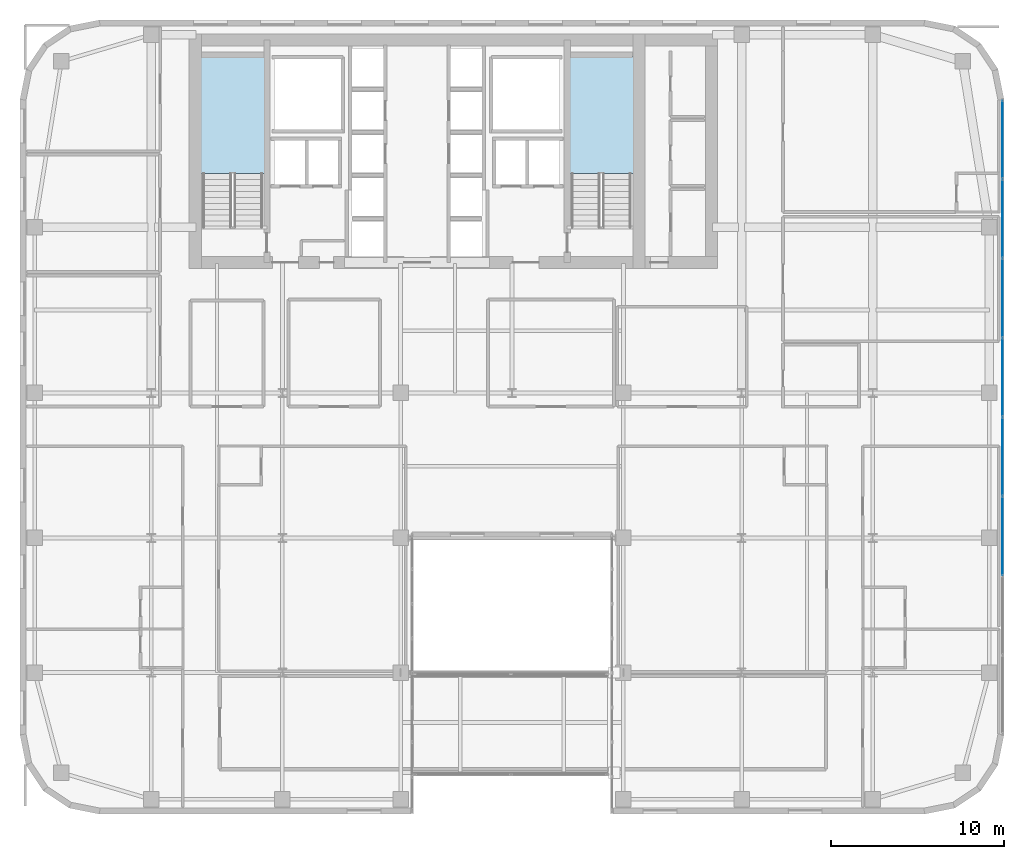
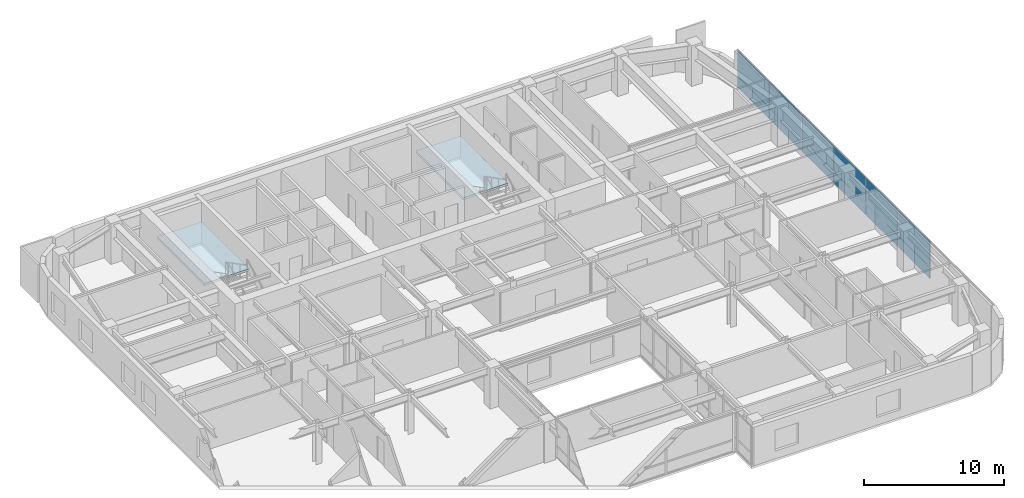
# One storey, part 16 of 25: 12 plates, 2 slabs, 3 elements without a shape of their own.
"""IFC4 building model written with IfcOpenShell, lengths in metres."""

from ifc_helpers import new_model, si_unit, direction, frame, origin, origin_2d, place, context, subcontext, project, spatial, polyline, rectangle, outline, extrude, source, transform, mapped, material, layer, layer_set, type_object, type_shapes, element, aggregate, save


model = new_model("IFC4")

# Units and contexts
model_context = context("Model", 3, precision=1e-05, world=origin(), true_north=direction((0.0, 1.0)))
body_context = subcontext(model_context, "Body", "Model", "MODEL_VIEW")
ifc_project = project(units=[si_unit("LENGTHUNIT", "METRE"), si_unit("AREAUNIT", "SQUARE_METRE"), si_unit("VOLUMEUNIT", "CUBIC_METRE"), si_unit("PLANEANGLEUNIT", "RADIAN"), si_unit("MASSUNIT", "GRAM", prefix="KILO")], contexts=[model_context])

# Site, building, storey
site_placement = place(None, origin())
site = spatial("IfcSite", under=ifc_project, at=site_placement, CompositionType="ELEMENT")
building_placement = place(site_placement, origin())
building = spatial("IfcBuilding", under=site, at=building_placement, Name="Tolvann Quenvar Hotel", CompositionType="ELEMENT")
storey_placement = place(building_placement, frame((0.0, 0.0, 122.199951171875)))
storey = spatial("IfcBuildingStorey", under=building, at=storey_placement, Name="L31", CompositionType="ELEMENT", Elevation=122.199951171875)

# Stair, slab
ifc_material_1 = material(Name="Concrete N40 (40 MPa)", Category="concrete")
stair_type = type_object("IfcStairType", Name="STAIR", PredefinedType="HALF_TURN_STAIR", material=ifc_material_1)
stair_1_placement = place(storey_placement, origin())
stair_1 = element("IfcStair", 1, at=stair_1_placement, inside=storey, type_object=stair_type, Name="L31 ST-C1", PredefinedType="HALF_TURN_STAIR")
ifc_layer_1 = layer(ifc_material_1, 0.199951171875)
ifc_layer_set_1 = layer_set([ifc_layer_1], Name="Concrete N40 (40 MPa)")
slab_type = type_object("IfcSlabType", Name="SLAB_LANDING", PredefinedType="LANDING", material=ifc_layer_set_1)
slab_1_placement = place(storey_placement, frame((0.0, 0.0, 1.574951171875)))
slab_1 = element("IfcSlab", 2, at=slab_1_placement, type_object=slab_type, Name="ST-C1 landing 1", PredefinedType="LANDING", context=body_context, shape_type="SweptSolid", body=[
    extrude(outline(polyline([(14.179931640625, 37.10498046875), (14.179931640625, 43.8798828125), (10.469970703125, 43.8798828125), (10.469970703125, 37.10498046875), (14.179931640625, 37.10498046875)])), origin(), (0.0, 0.0, 1.0), 0.2001953125),
])
aggregate(stair_1, [slab_1])

stair_2_placement = place(storey_placement, origin())
stair_2 = element("IfcStair", 3, at=stair_2_placement, inside=storey, type_object=stair_type, Name="L31 ST-C2", PredefinedType="HALF_TURN_STAIR")
slab_2_placement = place(storey_placement, frame((0.0, 0.0, 1.574951171875)))
slab_2 = element("IfcSlab", 4, at=slab_2_placement, type_object=slab_type, Name="ST-C2 landing 1", PredefinedType="LANDING", context=body_context, shape_type="SweptSolid", body=[
    extrude(outline(polyline([(35.530029296875, 37.10498046875), (35.530029296875, 43.8798828125), (31.820068359375, 43.8798828125), (31.820068359375, 37.10498046875), (35.530029296875, 37.10498046875)])), origin(), (0.0, 0.0, 1.0), 0.2001953125),
])
aggregate(stair_2, [slab_2])

# Curtain wall, plates
ifc_material_2 = material(Name="Thermally broken anodised architectural aluminium 6063-T6 and laminated low-E glass", Category="aluminium")
ifc_layer_2 = layer(ifc_material_2, 0.179931640625)
ifc_layer_set_2 = layer_set([ifc_layer_2], Name="Thermally broken anodised architectural aluminium 6063-T6 and laminated low-E glass")
curtain_wall_type = type_object("IfcCurtainWallType", Name="CW_SYS_BAND_04", PredefinedType="USERDEFINED", material=ifc_layer_set_2)
curtain_wall_placement = place(storey_placement, origin())
curtain_wall = element("IfcCurtainWall", 5, at=curtain_wall_placement, inside=storey, type_object=curtain_wall_type, Name="Curtain Wall CW-BAND-04 (CWR-L31-E13)", ObjectType="UNITISED CURTAIN WALL", PredefinedType="USERDEFINED")
ifc_material_3 = material(Name="Low-iron laminated double glazing with solar-control coating", Category="glass")
ifc_layer_3 = layer(ifc_material_3, 0.028076171875)
ifc_layer_set_3 = layer_set([ifc_layer_3], Name="Low-iron laminated double glazing with solar-control coating")
plate_type = type_object("IfcPlateType", Name="CW_PAN_VISION_28", PredefinedType="CURTAIN_PANEL", material=ifc_layer_set_3)
shared_shape_1 = source(origin(), body_context, "Body", "SweptSolid", [
    extrude(rectangle(XDim=4.49072265625, YDim=0.028076171875, at=origin_2d()), origin(), (0.0, 0.0, 1.0), 0.9599609375),
])
plate_1_placement = place(storey_placement, frame((56.909912109375, 39.0673828125, 0.06005859375), z_axis=(0.0, 0.0, 1.0), x_axis=(0.0, 1.0, 0.0)))
plate_1 = element("IfcPlate", 6, at=plate_1_placement, type_object=plate_type, Name="CW-BAND-04 panel 8.1", PredefinedType="CURTAIN_PANEL", context=body_context, shape_type="MappedRepresentation", body=[
    mapped(shared_shape_1, transform((0.0, 0.0, 0.0), x_axis=(1.0, 0.0, 0.0), y_axis=(0.0, 1.0, 0.0), z_axis=(0.0, 0.0, 1.0), scale=1.0)),
])
shared_shape_2 = source(origin(), body_context, "Body", "SweptSolid", [
    extrude(rectangle(XDim=4.49072265625, YDim=0.028076171875, at=origin_2d()), origin(), (0.0, 0.0, 1.0), 2.22998046875),
])
plate_2_placement = place(storey_placement, frame((56.909912109375, 39.0673828125, 1.080078125), z_axis=(0.0, 0.0, 1.0), x_axis=(0.0, 1.0, 0.0)))
plate_2 = element("IfcPlate", 7, at=plate_2_placement, type_object=plate_type, Name="CW-BAND-04 panel 8.2", PredefinedType="CURTAIN_PANEL", context=body_context, shape_type="MappedRepresentation", body=[
    mapped(shared_shape_2, transform((0.0, 0.0, 0.0), x_axis=(1.0, 0.0, 0.0), y_axis=(0.0, 1.0, 0.0), z_axis=(0.0, 0.0, 1.0), scale=1.0)),
])
shared_shape_3 = source(origin(), body_context, "Body", "SweptSolid", [
    extrude(rectangle(XDim=4.525634765625, YDim=0.028076171875, at=origin_2d()), origin(), (0.0, 0.0, 1.0), 0.9599609375),
])
plate_3_placement = place(storey_placement, frame((56.909912109375, 16.1064453125, 0.06005859375), z_axis=(0.0, 0.0, 1.0), x_axis=(0.0, 1.0, 0.0)))
plate_3 = element("IfcPlate", 8, at=plate_3_placement, type_object=plate_type, Name="CW-BAND-04 panel 3.1", PredefinedType="CURTAIN_PANEL", context=body_context, shape_type="MappedRepresentation", body=[
    mapped(shared_shape_3, transform((0.0, 0.0, 0.0), x_axis=(1.0, 0.0, 0.0), y_axis=(0.0, 1.0, 0.0), z_axis=(0.0, 0.0, 1.0), scale=1.0)),
])
plate_4_placement = place(storey_placement, frame((56.909912109375, 20.7021484375, 0.06005859375), z_axis=(0.0, 0.0, 1.0), x_axis=(0.0, 1.0, 0.0)))
plate_4 = element("IfcPlate", 9, at=plate_4_placement, type_object=plate_type, Name="CW-BAND-04 panel 4.1", PredefinedType="CURTAIN_PANEL", context=body_context, shape_type="MappedRepresentation", body=[
    mapped(shared_shape_3, transform((0.0, 0.0, 0.0), x_axis=(1.0, 0.0, 0.0), y_axis=(0.0, 1.0, 0.0), z_axis=(0.0, 0.0, 1.0), scale=1.0)),
])
plate_5_placement = place(storey_placement, frame((56.909912109375, 25.2978515625, 0.06005859375), z_axis=(0.0, 0.0, 1.0), x_axis=(0.0, 1.0, 0.0)))
plate_5 = element("IfcPlate", 10, at=plate_5_placement, type_object=plate_type, Name="CW-BAND-04 panel 5.1", PredefinedType="CURTAIN_PANEL", context=body_context, shape_type="MappedRepresentation", body=[
    mapped(shared_shape_3, transform((0.0, 0.0, 0.0), x_axis=(1.0, 0.0, 0.0), y_axis=(0.0, 1.0, 0.0), z_axis=(0.0, 0.0, 1.0), scale=1.0)),
])
plate_6_placement = place(storey_placement, frame((56.909912109375, 29.8935546875, 0.06005859375), z_axis=(0.0, 0.0, 1.0), x_axis=(0.0, 1.0, 0.0)))
plate_6 = element("IfcPlate", 11, at=plate_6_placement, type_object=plate_type, Name="CW-BAND-04 panel 6.1", PredefinedType="CURTAIN_PANEL", context=body_context, shape_type="MappedRepresentation", body=[
    mapped(shared_shape_3, transform((0.0, 0.0, 0.0), x_axis=(1.0, 0.0, 0.0), y_axis=(0.0, 1.0, 0.0), z_axis=(0.0, 0.0, 1.0), scale=1.0)),
])
plate_7_placement = place(storey_placement, frame((56.909912109375, 34.4892578125, 0.06005859375), z_axis=(0.0, 0.0, 1.0), x_axis=(0.0, 1.0, 0.0)))
plate_7 = element("IfcPlate", 12, at=plate_7_placement, type_object=plate_type, Name="CW-BAND-04 panel 7.1", PredefinedType="CURTAIN_PANEL", context=body_context, shape_type="MappedRepresentation", body=[
    mapped(shared_shape_3, transform((0.0, 0.0, 0.0), x_axis=(1.0, 0.0, 0.0), y_axis=(0.0, 1.0, 0.0), z_axis=(0.0, 0.0, 1.0), scale=1.0)),
])
shared_shape_4 = source(origin(), body_context, "Body", "SweptSolid", [
    extrude(rectangle(XDim=4.525634765625, YDim=0.028076171875, at=origin_2d()), origin(), (0.0, 0.0, 1.0), 2.22998046875),
])
type_shapes(plate_type, [shared_shape_1, shared_shape_2, shared_shape_3, shared_shape_4])
plate_8_placement = place(storey_placement, frame((56.909912109375, 16.1064453125, 1.080078125), z_axis=(0.0, 0.0, 1.0), x_axis=(0.0, 1.0, 0.0)))
plate_8 = element("IfcPlate", 13, at=plate_8_placement, type_object=plate_type, Name="CW-BAND-04 panel 3.2", PredefinedType="CURTAIN_PANEL", context=body_context, shape_type="MappedRepresentation", body=[
    mapped(shared_shape_4, transform((0.0, 0.0, 0.0), x_axis=(1.0, 0.0, 0.0), y_axis=(0.0, 1.0, 0.0), z_axis=(0.0, 0.0, 1.0), scale=1.0)),
])
plate_9_placement = place(storey_placement, frame((56.909912109375, 20.7021484375, 1.080078125), z_axis=(0.0, 0.0, 1.0), x_axis=(0.0, 1.0, 0.0)))
plate_9 = element("IfcPlate", 14, at=plate_9_placement, type_object=plate_type, Name="CW-BAND-04 panel 4.2", PredefinedType="CURTAIN_PANEL", context=body_context, shape_type="MappedRepresentation", body=[
    mapped(shared_shape_4, transform((0.0, 0.0, 0.0), x_axis=(1.0, 0.0, 0.0), y_axis=(0.0, 1.0, 0.0), z_axis=(0.0, 0.0, 1.0), scale=1.0)),
])
plate_10_placement = place(storey_placement, frame((56.909912109375, 25.2978515625, 1.080078125), z_axis=(0.0, 0.0, 1.0), x_axis=(0.0, 1.0, 0.0)))
plate_10 = element("IfcPlate", 15, at=plate_10_placement, type_object=plate_type, Name="CW-BAND-04 panel 5.2", PredefinedType="CURTAIN_PANEL", context=body_context, shape_type="MappedRepresentation", body=[
    mapped(shared_shape_4, transform((0.0, 0.0, 0.0), x_axis=(1.0, 0.0, 0.0), y_axis=(0.0, 1.0, 0.0), z_axis=(0.0, 0.0, 1.0), scale=1.0)),
])
plate_11_placement = place(storey_placement, frame((56.909912109375, 29.8935546875, 1.080078125), z_axis=(0.0, 0.0, 1.0), x_axis=(0.0, 1.0, 0.0)))
plate_11 = element("IfcPlate", 16, at=plate_11_placement, type_object=plate_type, Name="CW-BAND-04 panel 6.2", PredefinedType="CURTAIN_PANEL", context=body_context, shape_type="MappedRepresentation", body=[
    mapped(shared_shape_4, transform((0.0, 0.0, 0.0), x_axis=(1.0, 0.0, 0.0), y_axis=(0.0, 1.0, 0.0), z_axis=(0.0, 0.0, 1.0), scale=1.0)),
])
plate_12_placement = place(storey_placement, frame((56.909912109375, 34.4892578125, 1.080078125), z_axis=(0.0, 0.0, 1.0), x_axis=(0.0, 1.0, 0.0)))
plate_12 = element("IfcPlate", 17, at=plate_12_placement, type_object=plate_type, Name="CW-BAND-04 panel 7.2", PredefinedType="CURTAIN_PANEL", context=body_context, shape_type="MappedRepresentation", body=[
    mapped(shared_shape_4, transform((0.0, 0.0, 0.0), x_axis=(1.0, 0.0, 0.0), y_axis=(0.0, 1.0, 0.0), z_axis=(0.0, 0.0, 1.0), scale=1.0)),
])
aggregate(curtain_wall, [plate_3, plate_8, plate_4, plate_9, plate_5, plate_10, plate_6, plate_11, plate_7, plate_12, plate_1, plate_2])

save(model, "model.ifc")
